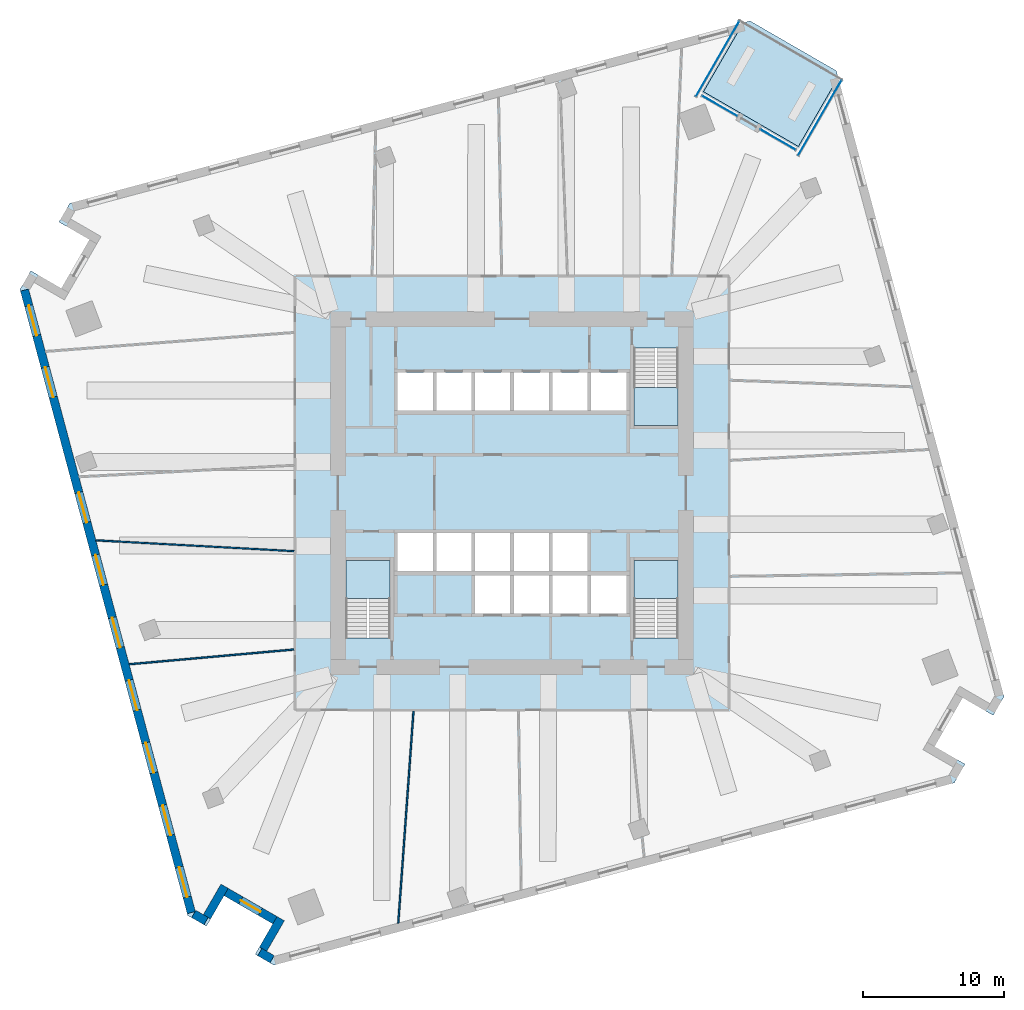
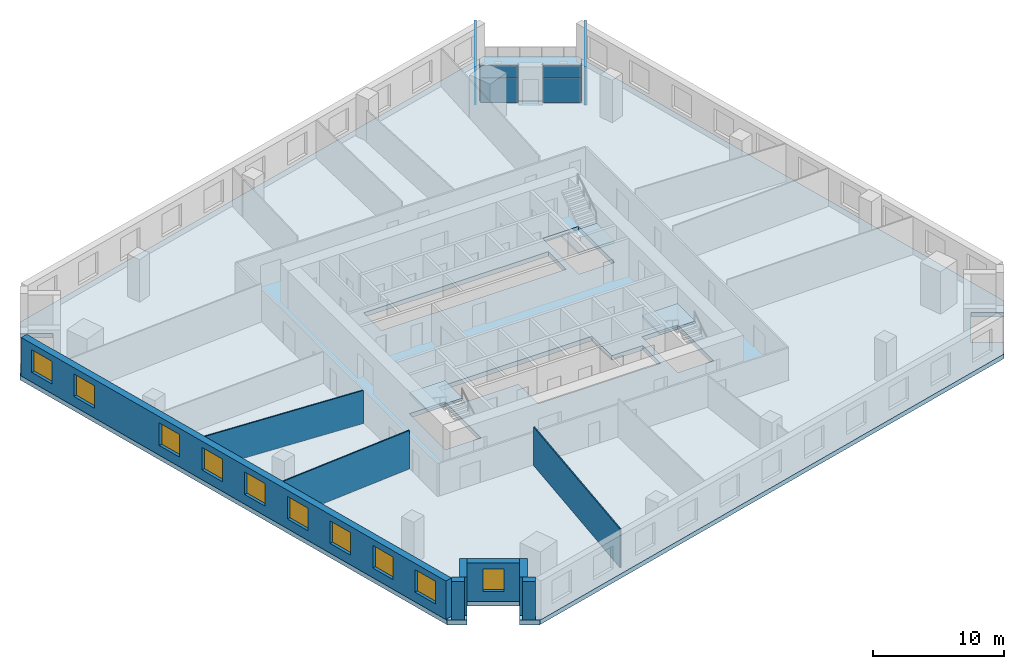
# One storey, part 3 of 11: 10 windows, 9 walls, 8 plates, 5 slabs, 10 openings, 7 elements without a shape of their own.
"""IFC4 building model written with IfcOpenShell, lengths in metres."""

from ifc_helpers import new_model, si_unit, direction, frame, frame_2d, origin, origin_2d, place, context, subcontext, project, spatial, polyline, rectangle, outline, extrude, material, layer, layer_set, type_object, element, fill, aggregate, save


model = new_model("IFC4")

# Units and contexts
model_context = context("Model", 3, precision=1e-05, world=origin(), true_north=direction((0.0, 1.0)))
body_context = subcontext(model_context, "Body", "Model", "MODEL_VIEW")
ifc_project = project(units=[si_unit("LENGTHUNIT", "METRE"), si_unit("AREAUNIT", "SQUARE_METRE"), si_unit("VOLUMEUNIT", "CUBIC_METRE"), si_unit("PLANEANGLEUNIT", "RADIAN"), si_unit("MASSUNIT", "GRAM", prefix="KILO")], contexts=[model_context])

# Site, building, storey
site_placement = place(None, origin())
site = spatial("IfcSite", under=ifc_project, at=site_placement, CompositionType="ELEMENT")
building_placement = place(site_placement, origin())
building = spatial("IfcBuilding", under=site, at=building_placement, Name="Dilmun Exchange Tower", CompositionType="ELEMENT")
storey_placement = place(building_placement, frame((0.0, 0.0, 82.10009765625)))
storey = spatial("IfcBuildingStorey", under=building, at=storey_placement, Name="L18", CompositionType="ELEMENT", Elevation=82.10009765625)

# Stair, slab
ifc_material_1 = material(Name="Concrete C40/50", Category="concrete")
stair_type = type_object("IfcStairType", Name="Exit stair 1500 half-turn", PredefinedType="HALF_TURN_STAIR", material=ifc_material_1)
stair_1_placement = place(storey_placement, origin())
stair_1 = element("IfcStair", 1, at=stair_1_placement, inside=storey, type_object=stair_type, Name="L18 Protected exit stair ST1", PredefinedType="HALF_TURN_STAIR")
ifc_layer_1 = layer(ifc_material_1, 0.199951171875)
ifc_layer_set_1 = layer_set([ifc_layer_1], Name="Concrete C40/50")
slab_type_1 = type_object("IfcSlabType", Name="Exit stair landing 200", PredefinedType="LANDING", material=ifc_layer_set_1)
slab_1_placement = place(storey_placement, frame((0.0, 0.0, 1.7998046875)))
slab_1 = element("IfcSlab", 2, at=slab_1_placement, type_object=slab_type_1, Name="ST1 landing 1", PredefinedType="LANDING", context=body_context, shape_type="SweptSolid", body=[
    extrude(outline(polyline([(8.64990234375, 7.5), (8.64990234375, 4.800048828125), (11.800048828125, 4.800048828125), (11.800048828125, 7.5), (8.64990234375, 7.5)])), origin(), (0.0, 0.0, 1.0), 0.2001953125),
])
aggregate(stair_1, [slab_1])

stair_2_placement = place(storey_placement, origin())
stair_2 = element("IfcStair", 3, at=stair_2_placement, inside=storey, type_object=stair_type, Name="L18 Protected exit stair ST2", PredefinedType="HALF_TURN_STAIR")
slab_2_placement = place(storey_placement, frame((0.0, 0.0, 1.7998046875)))
slab_2 = element("IfcSlab", 4, at=slab_2_placement, type_object=slab_type_1, Name="ST2 landing 1", PredefinedType="LANDING", context=body_context, shape_type="SweptSolid", body=[
    extrude(outline(polyline([(-8.64990234375, -7.5), (-8.64990234375, -4.800048828125), (-11.800048828125, -4.800048828125), (-11.800048828125, -7.5), (-8.64990234375, -7.5)])), origin(), (0.0, 0.0, 1.0), 0.2001953125),
])
aggregate(stair_2, [slab_2])

stair_3_placement = place(storey_placement, origin())
stair_3 = element("IfcStair", 5, at=stair_3_placement, inside=storey, type_object=stair_type, Name="L18 Protected exit stair ST3", PredefinedType="HALF_TURN_STAIR")
slab_3_placement = place(storey_placement, frame((0.0, 0.0, 1.7998046875)))
slab_3 = element("IfcSlab", 6, at=slab_3_placement, type_object=slab_type_1, Name="ST3 landing 1", PredefinedType="LANDING", context=body_context, shape_type="SweptSolid", body=[
    extrude(outline(polyline([(11.800048828125, -7.5), (11.800048828125, -4.800048828125), (8.64990234375, -4.800048828125), (8.64990234375, -7.5), (11.800048828125, -7.5)])), origin(), (0.0, 0.0, 1.0), 0.2001953125),
])
aggregate(stair_3, [slab_3])

# Curtain wall, plates
ifc_material_2 = material(Name="Anodised aluminium and clear glass", Category="aluminium")
curtain_wall_type = type_object("IfcCurtainWallType", Name="Garden corner glazing", PredefinedType="NOTDEFINED", material=ifc_material_2)
curtain_wall_1_placement = place(storey_placement, origin())
curtain_wall_1 = element("IfcCurtainWall", 7, at=curtain_wall_1_placement, inside=storey, type_object=curtain_wall_type, Name="Garden corner glazing run GC1.1", PredefinedType="NOTDEFINED")
ifc_material_3 = material(Name="Clear glass", Category="glass")
ifc_layer_2 = layer(ifc_material_3, 0.028076171875)
ifc_layer_set_2 = layer_set([ifc_layer_2], Name="Clear glass")
plate_type = type_object("IfcPlateType", Name="Garden corner glazing glass panel 28", PredefinedType="CURTAIN_PANEL", material=ifc_layer_set_2)
plate_1_placement = place(storey_placement, frame((21.8525390625, 26.64306640625, 0.059814453125), z_axis=(0.0, 0.0, 1.0), x_axis=(-0.500007922473, -0.866020829694, 0.0)))
plate_1 = element("IfcPlate", 8, at=plate_1_placement, type_object=plate_type, Name="GC1.1 panel 1.1", PredefinedType="CURTAIN_PANEL", context=body_context, shape_type="SweptSolid", body=[
    extrude(rectangle(XDim=6.12646484375, YDim=0.028076171875, at=origin_2d()), origin(), (0.0, 0.0, 1.0), 2.31005859375),
])
plate_2_placement = place(storey_placement, frame((21.8525390625, 26.64306640625, 2.4296875), z_axis=(0.0, 0.0, 1.0), x_axis=(-0.500007922473, -0.866020829694, 0.0)))
plate_2 = element("IfcPlate", 9, at=plate_2_placement, type_object=plate_type, Name="GC1.1 panel 1.2", PredefinedType="CURTAIN_PANEL", context=body_context, shape_type="SweptSolid", body=[
    extrude(rectangle(XDim=6.12646484375, YDim=0.028076171875, at=origin_2d()), origin(), (0.0, 0.0, 1.0), 1.090087890625),
])
aggregate(curtain_wall_1, [plate_1, plate_2])

curtain_wall_2_placement = place(storey_placement, origin())
curtain_wall_2 = element("IfcCurtainWall", 10, at=curtain_wall_2_placement, inside=storey, type_object=curtain_wall_type, Name="Garden corner glazing run GC2.1", PredefinedType="NOTDEFINED")
plate_3_placement = place(storey_placement, frame((18.88671875, 25.095458984375, 0.059814453125), z_axis=(0.0, 0.0, 1.0), x_axis=(-0.866015104744, 0.500017838036, 0.0)))
plate_3 = element("IfcPlate", 11, at=plate_3_placement, type_object=plate_type, Name="GC2.1 panel 1.1", PredefinedType="CURTAIN_PANEL", context=body_context, shape_type="SweptSolid", body=[
    extrude(rectangle(XDim=2.869140625, YDim=0.028076171875, at=origin_2d()), origin(), (0.0, 0.0, 1.0), 2.31005859375),
])
plate_4_placement = place(storey_placement, frame((18.88671875, 25.095458984375, 2.4296875), z_axis=(0.0, 0.0, 1.0), x_axis=(-0.866015104744, 0.500017838036, 0.0)))
plate_4 = element("IfcPlate", 12, at=plate_4_placement, type_object=plate_type, Name="GC2.1 panel 1.2", PredefinedType="CURTAIN_PANEL", context=body_context, shape_type="SweptSolid", body=[
    extrude(rectangle(XDim=2.869140625, YDim=0.028076171875, at=origin_2d()), origin(), (0.0, 0.0, 1.0), 1.090087890625),
])
aggregate(curtain_wall_2, [plate_3, plate_4])

curtain_wall_3_placement = place(storey_placement, origin())
curtain_wall_3 = element("IfcCurtainWall", 13, at=curtain_wall_3_placement, inside=storey, type_object=curtain_wall_type, Name="Garden corner glazing run GC2.3", PredefinedType="NOTDEFINED")
plate_5_placement = place(storey_placement, frame((14.7392578125, 27.489990234375, 0.059814453125), z_axis=(0.0, 0.0, 1.0), x_axis=(-0.866037954663, 0.499978260611, 0.0)))
plate_5 = element("IfcPlate", 14, at=plate_5_placement, type_object=plate_type, Name="GC2.3 panel 1.1", PredefinedType="CURTAIN_PANEL", context=body_context, shape_type="SweptSolid", body=[
    extrude(rectangle(XDim=2.869140625, YDim=0.028076171875, at=origin_2d()), origin(), (0.0, 0.0, 1.0), 2.31005859375),
])
plate_6_placement = place(storey_placement, frame((14.7392578125, 27.489990234375, 2.4296875), z_axis=(0.0, 0.0, 1.0), x_axis=(-0.866037954663, 0.499978260611, 0.0)))
plate_6 = element("IfcPlate", 15, at=plate_6_placement, type_object=plate_type, Name="GC2.3 panel 1.2", PredefinedType="CURTAIN_PANEL", context=body_context, shape_type="SweptSolid", body=[
    extrude(rectangle(XDim=2.869140625, YDim=0.028076171875, at=origin_2d()), origin(), (0.0, 0.0, 1.0), 1.090087890625),
])
aggregate(curtain_wall_3, [plate_5, plate_6])

curtain_wall_4_placement = place(storey_placement, origin())
curtain_wall_4 = element("IfcCurtainWall", 16, at=curtain_wall_4_placement, inside=storey, type_object=curtain_wall_type, Name="Garden corner glazing run GC3.1", PredefinedType="NOTDEFINED")
plate_7_placement = place(storey_placement, frame((14.5966796875, 30.832275390625, 0.059814453125), z_axis=(0.0, 0.0, 1.0), x_axis=(0.499995915726, 0.866027761828, 0.0)))
plate_7 = element("IfcPlate", 17, at=plate_7_placement, type_object=plate_type, Name="GC3.1 panel 1.1", PredefinedType="CURTAIN_PANEL", context=body_context, shape_type="SweptSolid", body=[
    extrude(rectangle(XDim=6.12646484375, YDim=0.028076171875, at=origin_2d()), origin(), (0.0, 0.0, 1.0), 2.31005859375),
])
plate_8_placement = place(storey_placement, frame((14.5966796875, 30.832275390625, 2.4296875), z_axis=(0.0, 0.0, 1.0), x_axis=(0.499995915726, 0.866027761828, 0.0)))
plate_8 = element("IfcPlate", 18, at=plate_8_placement, type_object=plate_type, Name="GC3.1 panel 1.2", PredefinedType="CURTAIN_PANEL", context=body_context, shape_type="SweptSolid", body=[
    extrude(rectangle(XDim=6.12646484375, YDim=0.028076171875, at=origin_2d()), origin(), (0.0, 0.0, 1.0), 1.090087890625),
])
aggregate(curtain_wall_4, [plate_7, plate_8])

# Slabs
ifc_layer_3 = layer(ifc_material_1, 0.419921875)
ifc_layer_set_3 = layer_set([ifc_layer_3], Name="Concrete C40/50")
slab_type_2 = type_object("IfcSlabType", Name="RC floor slab 420", PredefinedType="FLOOR", material=ifc_layer_set_3)
slab_4_placement = place(storey_placement, frame((0.0, 0.0, -0.420166015625)))
element("IfcSlab", 19, at=slab_4_placement, inside=storey, type_object=slab_type_2, Name="Floor slab", PredefinedType="FLOOR", context=body_context, shape_type="SweptSolid", body=[
    extrude(outline(polyline([(34.162841796875, -15.781494140625), (31.997802734375, -14.531494140625), (29.997802734375, -17.99560546875), (32.162841796875, -19.24560546875), (31.39501953125, -20.575439453125), (-16.901123046875, -33.516357421875), (-18.23095703125, -32.74853515625), (-16.98095703125, -30.58349609375), (-20.445068359375, -28.58349609375), (-21.695068359375, -30.74853515625), (-23.02490234375, -29.98095703125), (-34.9306640625, 14.45166015625), (-34.162841796875, 15.781494140625), (-31.997802734375, 14.531494140625), (-29.997802734375, 17.99560546875), (-32.162841796875, 19.24560546875), (-31.39501953125, 20.575439453125), (16.418212890625, 33.386962890625), (13.594970703125, 28.4970703125), (20.3310546875, 24.60791015625), (23.154296875, 29.497802734375), (34.9306640625, -14.45166015625), (34.162841796875, -15.781494140625)]), holes=[polyline([(-8.64990234375, -4.800048828125), (-11.800048828125, -4.800048828125), (-11.800048828125, -10.294921875), (-8.64990234375, -10.294921875), (-8.64990234375, -4.800048828125)]), polyline([(11.800048828125, -4.800048828125), (8.64990234375, -4.800048828125), (8.64990234375, -10.294921875), (11.800048828125, -10.294921875), (11.800048828125, -4.800048828125)]), polyline([(-8.125, -2.85009765625), (-8.125, -5.550048828125), (-2.625, -5.550048828125), (-2.625, -8.550048828125), (8.125, -8.550048828125), (8.125, -5.85009765625), (5.375, -5.85009765625), (5.375, -2.85009765625), (-8.125, -2.85009765625)]), polyline([(-8.125, 5.85009765625), (8.125, 5.85009765625), (8.125, 8.550048828125), (-8.125, 8.550048828125), (-8.125, 5.85009765625)]), polyline([(8.64990234375, 10.294921875), (8.64990234375, 4.800048828125), (11.800048828125, 4.800048828125), (11.800048828125, 10.294921875), (8.64990234375, 10.294921875)])]), origin(), (0.0, 0.0, 1.0), 0.420166015625),
])
ifc_layer_4 = layer(ifc_material_1, 0.300048828125)
ifc_layer_set_4 = layer_set([ifc_layer_4], Name="Concrete C40/50")
slab_type_3 = type_object("IfcSlabType", Name="RC garden terrace slab 300", PredefinedType="FLOOR", material=ifc_layer_set_4)
slab_5_placement = place(storey_placement, frame((0.0, 0.0, -0.300048828125)))
element("IfcSlab", 20, at=slab_5_placement, inside=storey, type_object=slab_type_3, Name="Garden terrace slab", PredefinedType="FLOOR", context=body_context, shape_type="SweptSolid", body=[
    extrude(outline(polyline([(13.594970703125, 28.4970703125), (16.418212890625, 33.386962890625), (16.901123046875, 33.516357421875), (23.02490234375, 29.98095703125), (23.154296875, 29.497802734375), (20.3310546875, 24.60791015625), (13.594970703125, 28.4970703125)])), origin(), (0.0, 0.0, 1.0), 0.300048828125),
])

# Walls
ifc_material_4 = material(Name="Partition 100")
ifc_layer_5 = layer(ifc_material_4, 0.10009765625)
ifc_layer_set_5 = layer_set([ifc_layer_5], Name="Partition 100")
wall_type_1 = type_object("IfcWallType", Name="Partition 100", PredefinedType="PARTITIONING", material=ifc_layer_set_5)
wall_1_placement = place(storey_placement, frame((-29.535888671875, -3.35546875, 0.0), z_axis=(0.0, 0.0, 1.0), x_axis=(0.998509889637, -0.054571057322, 0.0)))
element("IfcWall", 21, at=wall_1_placement, inside=storey, type_object=wall_type_1, Name="Partition", PredefinedType="PARTITIONING", context=body_context, shape_type="SweptSolid", body=[
    extrude(rectangle(XDim=14.0791015625, YDim=0.10009765625, at=frame_2d((7.03955078125, 0.0))), origin(), (0.0, 0.0, 1.0), 3.079833984375),
])
wall_2_placement = place(storey_placement, frame((-27.178466796875, -12.153564453125, 0.0), z_axis=(0.0, 0.0, 1.0), x_axis=(0.996016470741, 0.089169445512, 0.0)))
element("IfcWall", 22, at=wall_2_placement, inside=storey, type_object=wall_type_1, Name="Partition", PredefinedType="PARTITIONING", context=body_context, shape_type="SweptSolid", body=[
    extrude(rectangle(XDim=11.745849609375, YDim=0.10009765625, at=frame_2d((5.873046875, 0.0))), origin(), (0.0, 0.0, 1.0), 3.579833984375),
])
wall_3_placement = place(storey_placement, frame((-8.07421875, -30.528076171875, 0.0), z_axis=(0.0, 0.0, 1.0), x_axis=(0.071616164184, 0.997432265885, 0.0)))
element("IfcWall", 23, at=wall_3_placement, inside=storey, type_object=wall_type_1, Name="Partition", PredefinedType="PARTITIONING", context=body_context, shape_type="SweptSolid", body=[
    extrude(rectangle(XDim=15.08837890625, YDim=0.10009765625, at=frame_2d((7.544189453125, 0.0))), origin(), (0.0, 0.0, 1.0), 3.579833984375),
])

# Wall, openings, windows
ifc_material_5 = material(Name="Precast concrete C50/60", Category="concrete")
ifc_layer_6 = layer(ifc_material_5, 0.60009765625)
ifc_layer_set_6 = layer_set([ifc_layer_6], Name="Precast concrete C50/60")
wall_type_2 = type_object("IfcWallType", Name="Precast stone-clad wall 600", PredefinedType="STANDARD", material=ifc_layer_set_6)
wall_4_placement = place(storey_placement, frame((-34.608642578125, 14.4091796875, 0.0), z_axis=(0.0, 0.0, 1.0), x_axis=(0.258818949408, -0.96592585193, 0.0)))
wall_4 = element("IfcWall", 24, at=wall_4_placement, inside=storey, type_object=wall_type_2, Name="Facade wall L18-09", PredefinedType="STANDARD", context=body_context, shape_type="SweptSolid", body=[
    extrude(rectangle(XDim=45.751220703125, YDim=0.60009765625, at=frame_2d((22.87548828125, 0.0))), origin(), (0.0, 0.0, 1.0), 3.579833984375),
])
opening_1_placement = place(wall_4_placement, frame((1.137939453125, 0.0, 0.89990234375)))
opening_1 = element("IfcOpeningElement", 25, at=opening_1_placement, cuts=wall_4, Name="Opening W220-210", PredefinedType="OPENING", context=body_context, shape_type="SweptSolid", body=[
    extrude(rectangle(XDim=2.199951171875, YDim=2.10009765625, at=frame_2d((1.10009765625, 1.050048828125))), frame((0.0, 0.31005859375, 0.0), z_axis=(0.0, -1.0, 0.0), x_axis=(1.0, 0.0, 0.0)), (0.0, 0.0, 1.0), 0.6201171875),
])
opening_2_placement = place(wall_4_placement, frame((5.67578125, 0.0, 0.89990234375)))
opening_2 = element("IfcOpeningElement", 26, at=opening_2_placement, cuts=wall_4, Name="Opening W220-210", PredefinedType="OPENING", context=body_context, shape_type="SweptSolid", body=[
    extrude(rectangle(XDim=2.199951171875, YDim=2.10009765625, at=frame_2d((1.10009765625, 1.050048828125))), frame((0.0, 0.31005859375, 0.0), z_axis=(0.0, -1.0, 0.0), x_axis=(1.0, 0.0, 0.0)), (0.0, 0.0, 1.0), 0.6201171875),
])
opening_3_placement = place(wall_4_placement, frame((14.875732421875, 0.0, 0.89990234375)))
opening_3 = element("IfcOpeningElement", 27, at=opening_3_placement, cuts=wall_4, Name="Opening W220-210", PredefinedType="OPENING", context=body_context, shape_type="SweptSolid", body=[
    extrude(rectangle(XDim=2.199951171875, YDim=2.10009765625, at=frame_2d((1.10009765625, 1.050048828125))), frame((0.0, 0.31005859375, 0.0), z_axis=(0.0, -1.0, 0.0), x_axis=(1.0, 0.0, 0.0)), (0.0, 0.0, 1.0), 0.6201171875),
])
opening_4_placement = place(wall_4_placement, frame((19.4755859375, 0.0, 0.89990234375)))
opening_4 = element("IfcOpeningElement", 28, at=opening_4_placement, cuts=wall_4, Name="Opening W220-210", PredefinedType="OPENING", context=body_context, shape_type="SweptSolid", body=[
    extrude(rectangle(XDim=2.199951171875, YDim=2.10009765625, at=frame_2d((1.10009765625, 1.050048828125))), frame((0.0, 0.31005859375, 0.0), z_axis=(0.0, -1.0, 0.0), x_axis=(1.0, 0.0, 0.0)), (0.0, 0.0, 1.0), 0.6201171875),
])
opening_5_placement = place(wall_4_placement, frame((24.07568359375, 0.0, 0.89990234375)))
opening_5 = element("IfcOpeningElement", 29, at=opening_5_placement, cuts=wall_4, Name="Opening W220-210", PredefinedType="OPENING", context=body_context, shape_type="SweptSolid", body=[
    extrude(rectangle(XDim=2.199951171875, YDim=2.10009765625, at=frame_2d((1.10009765625, 1.050048828125))), frame((0.0, 0.31005859375, 0.0), z_axis=(0.0, -1.0, 0.0), x_axis=(1.0, 0.0, 0.0)), (0.0, 0.0, 1.0), 0.6201171875),
])
opening_6_placement = place(wall_4_placement, frame((28.67578125, 0.0, 0.89990234375)))
opening_6 = element("IfcOpeningElement", 30, at=opening_6_placement, cuts=wall_4, Name="Opening W220-210", PredefinedType="OPENING", context=body_context, shape_type="SweptSolid", body=[
    extrude(rectangle(XDim=2.199951171875, YDim=2.10009765625, at=frame_2d((1.10009765625, 1.050048828125))), frame((0.0, 0.31005859375, 0.0), z_axis=(0.0, -1.0, 0.0), x_axis=(1.0, 0.0, 0.0)), (0.0, 0.0, 1.0), 0.6201171875),
])
opening_7_placement = place(wall_4_placement, frame((33.275634765625, 0.0, 0.89990234375)))
opening_7 = element("IfcOpeningElement", 31, at=opening_7_placement, cuts=wall_4, Name="Opening W220-210", PredefinedType="OPENING", context=body_context, shape_type="SweptSolid", body=[
    extrude(rectangle(XDim=2.199951171875, YDim=2.10009765625, at=frame_2d((1.10009765625, 1.050048828125))), frame((0.0, 0.31005859375, 0.0), z_axis=(0.0, -1.0, 0.0), x_axis=(1.0, 0.0, 0.0)), (0.0, 0.0, 1.0), 0.6201171875),
])
opening_8_placement = place(wall_4_placement, frame((37.875732421875, 0.0, 0.89990234375)))
opening_8 = element("IfcOpeningElement", 32, at=opening_8_placement, cuts=wall_4, Name="Opening W220-210", PredefinedType="OPENING", context=body_context, shape_type="SweptSolid", body=[
    extrude(rectangle(XDim=2.199951171875, YDim=2.10009765625, at=frame_2d((1.10009765625, 1.050048828125))), frame((0.0, 0.31005859375, 0.0), z_axis=(0.0, -1.0, 0.0), x_axis=(1.0, 0.0, 0.0)), (0.0, 0.0, 1.0), 0.6201171875),
])
opening_9_placement = place(wall_4_placement, frame((42.41357421875, 0.0, 0.89990234375)))
opening_9 = element("IfcOpeningElement", 33, at=opening_9_placement, cuts=wall_4, Name="Opening W220-210", PredefinedType="OPENING", context=body_context, shape_type="SweptSolid", body=[
    extrude(rectangle(XDim=2.199951171875, YDim=2.10009765625, at=frame_2d((1.10009765625, 1.050048828125))), frame((0.0, 0.31005859375, 0.0), z_axis=(0.0, -1.0, 0.0), x_axis=(1.0, 0.0, 0.0)), (0.0, 0.0, 1.0), 0.6201171875),
])
ifc_material_6 = material(Name="Clear low-emissivity glass in aluminium frame", Category="aluminium")
window_type_1 = type_object("IfcWindowType", Name="Punched window 2200 x 2100", PartitioningType="DOUBLE_PANEL_VERTICAL", PredefinedType="WINDOW", material=ifc_material_6)
window_1_placement = place(opening_1_placement, origin())
window_1 = element("IfcWindow", 34, at=window_1_placement, inside=storey, type_object=window_type_1, Name="Window 10.1", OverallHeight=2.10009765625, OverallWidth=2.199951171875, PartitioningType="SINGLE_PANEL", PredefinedType="WINDOW", context=body_context, shape_type="SweptSolid", body=[
    extrude(rectangle(XDim=2.199951171875, YDim=2.10009765625, at=frame_2d((1.10009765625, 1.050048828125))), frame((0.0, 0.030029296875, 0.0), z_axis=(0.0, -1.0, 0.0), x_axis=(1.0, 0.0, 0.0)), (0.0, 0.0, 1.0), 0.06005859375),
])
fill(opening_1, window_1)
window_2_placement = place(opening_2_placement, origin())
window_2 = element("IfcWindow", 35, at=window_2_placement, inside=storey, type_object=window_type_1, Name="Window 10.2", OverallHeight=2.10009765625, OverallWidth=2.199951171875, PartitioningType="SINGLE_PANEL", PredefinedType="WINDOW", context=body_context, shape_type="SweptSolid", body=[
    extrude(rectangle(XDim=2.199951171875, YDim=2.10009765625, at=frame_2d((1.10009765625, 1.050048828125))), frame((0.0, 0.030029296875, 0.0), z_axis=(0.0, -1.0, 0.0), x_axis=(1.0, 0.0, 0.0)), (0.0, 0.0, 1.0), 0.06005859375),
])
fill(opening_2, window_2)
window_3_placement = place(opening_3_placement, origin())
window_3 = element("IfcWindow", 36, at=window_3_placement, inside=storey, type_object=window_type_1, Name="Window 10.4", OverallHeight=2.10009765625, OverallWidth=2.199951171875, PartitioningType="SINGLE_PANEL", PredefinedType="WINDOW", context=body_context, shape_type="SweptSolid", body=[
    extrude(rectangle(XDim=2.199951171875, YDim=2.10009765625, at=frame_2d((1.10009765625, 1.050048828125))), frame((0.0, 0.030029296875, 0.0), z_axis=(0.0, -1.0, 0.0), x_axis=(1.0, 0.0, 0.0)), (0.0, 0.0, 1.0), 0.06005859375),
])
fill(opening_3, window_3)
window_4_placement = place(opening_4_placement, origin())
window_4 = element("IfcWindow", 37, at=window_4_placement, inside=storey, type_object=window_type_1, Name="Window 10.5", OverallHeight=2.10009765625, OverallWidth=2.199951171875, PartitioningType="SINGLE_PANEL", PredefinedType="WINDOW", context=body_context, shape_type="SweptSolid", body=[
    extrude(rectangle(XDim=2.199951171875, YDim=2.10009765625, at=frame_2d((1.10009765625, 1.050048828125))), frame((0.0, 0.030029296875, 0.0), z_axis=(0.0, -1.0, 0.0), x_axis=(1.0, 0.0, 0.0)), (0.0, 0.0, 1.0), 0.06005859375),
])
fill(opening_4, window_4)
window_5_placement = place(opening_5_placement, origin())
window_5 = element("IfcWindow", 38, at=window_5_placement, inside=storey, type_object=window_type_1, Name="Window 10.6", OverallHeight=2.10009765625, OverallWidth=2.199951171875, PartitioningType="SINGLE_PANEL", PredefinedType="WINDOW", context=body_context, shape_type="SweptSolid", body=[
    extrude(rectangle(XDim=2.199951171875, YDim=2.10009765625, at=frame_2d((1.10009765625, 1.050048828125))), frame((0.0, 0.030029296875, 0.0), z_axis=(0.0, -1.0, 0.0), x_axis=(1.0, 0.0, 0.0)), (0.0, 0.0, 1.0), 0.06005859375),
])
fill(opening_5, window_5)
window_6_placement = place(opening_6_placement, origin())
window_6 = element("IfcWindow", 39, at=window_6_placement, inside=storey, type_object=window_type_1, Name="Window 10.7", OverallHeight=2.10009765625, OverallWidth=2.199951171875, PartitioningType="SINGLE_PANEL", PredefinedType="WINDOW", context=body_context, shape_type="SweptSolid", body=[
    extrude(rectangle(XDim=2.199951171875, YDim=2.10009765625, at=frame_2d((1.10009765625, 1.050048828125))), frame((0.0, 0.030029296875, 0.0), z_axis=(0.0, -1.0, 0.0), x_axis=(1.0, 0.0, 0.0)), (0.0, 0.0, 1.0), 0.06005859375),
])
fill(opening_6, window_6)
window_7_placement = place(opening_7_placement, origin())
window_7 = element("IfcWindow", 40, at=window_7_placement, inside=storey, type_object=window_type_1, Name="Window 10.8", OverallHeight=2.10009765625, OverallWidth=2.199951171875, PartitioningType="SINGLE_PANEL", PredefinedType="WINDOW", context=body_context, shape_type="SweptSolid", body=[
    extrude(rectangle(XDim=2.199951171875, YDim=2.10009765625, at=frame_2d((1.10009765625, 1.050048828125))), frame((0.0, 0.030029296875, 0.0), z_axis=(0.0, -1.0, 0.0), x_axis=(1.0, 0.0, 0.0)), (0.0, 0.0, 1.0), 0.06005859375),
])
fill(opening_7, window_7)
window_8_placement = place(opening_8_placement, origin())
window_8 = element("IfcWindow", 41, at=window_8_placement, inside=storey, type_object=window_type_1, Name="Window 10.9", OverallHeight=2.10009765625, OverallWidth=2.199951171875, PartitioningType="SINGLE_PANEL", PredefinedType="WINDOW", context=body_context, shape_type="SweptSolid", body=[
    extrude(rectangle(XDim=2.199951171875, YDim=2.10009765625, at=frame_2d((1.10009765625, 1.050048828125))), frame((0.0, 0.030029296875, 0.0), z_axis=(0.0, -1.0, 0.0), x_axis=(1.0, 0.0, 0.0)), (0.0, 0.0, 1.0), 0.06005859375),
])
fill(opening_8, window_8)
window_9_placement = place(opening_9_placement, origin())
window_9 = element("IfcWindow", 42, at=window_9_placement, inside=storey, type_object=window_type_1, Name="Window 10.10", OverallHeight=2.10009765625, OverallWidth=2.199951171875, PartitioningType="SINGLE_PANEL", PredefinedType="WINDOW", context=body_context, shape_type="SweptSolid", body=[
    extrude(rectangle(XDim=2.199951171875, YDim=2.10009765625, at=frame_2d((1.10009765625, 1.050048828125))), frame((0.0, 0.030029296875, 0.0), z_axis=(0.0, -1.0, 0.0), x_axis=(1.0, 0.0, 0.0)), (0.0, 0.0, 1.0), 0.06005859375),
])
fill(opening_9, window_9)

# Walls
wall_5_placement = place(storey_placement, frame((-22.593994140625, -29.88330078125, 0.0), z_axis=(0.0, 0.0, 1.0), x_axis=(0.86602074273, -0.500008073096, 0.0)))
element("IfcWall", 43, at=wall_5_placement, inside=storey, type_object=wall_type_2, Name="Facade wall L18-10", PredefinedType="STANDARD", context=body_context, shape_type="SweptSolid", body=[
    extrude(rectangle(XDim=1.01123046875, YDim=0.60009765625, at=frame_2d((0.505615234375, 0.0))), origin(), (0.0, 0.0, 1.0), 3.579833984375),
])
wall_6_placement = place(storey_placement, frame((-21.65478515625, -30.0791015625, 0.0), z_axis=(0.0, 0.0, 1.0), x_axis=(0.500004234368, 0.866022959057, 0.0)))
element("IfcWall", 44, at=wall_6_placement, inside=storey, type_object=wall_type_2, Name="Facade wall L18-11", PredefinedType="STANDARD", context=body_context, shape_type="SweptSolid", body=[
    extrude(rectangle(XDim=2.5, YDim=0.60009765625, at=frame_2d((1.25, 0.0))), origin(), (0.0, 0.0, 1.0), 3.579833984375),
])

# Wall, opening, window
wall_7_placement = place(storey_placement, frame((-20.295166015625, -28.32373046875, 0.0), z_axis=(0.0, 0.0, 1.0), x_axis=(0.866026010844, -0.49999894854, 0.0)))
wall_7 = element("IfcWall", 45, at=wall_7_placement, inside=storey, type_object=wall_type_2, Name="Facade wall L18-12", PredefinedType="STANDARD", context=body_context, shape_type="SweptSolid", body=[
    extrude(rectangle(XDim=4.0, YDim=0.60009765625, at=frame_2d((2.0, 0.0))), origin(), (0.0, 0.0, 1.0), 3.579833984375),
])
opening_10_placement = place(wall_7_placement, frame((1.199951171875, 0.0, 0.89990234375)))
opening_10 = element("IfcOpeningElement", 46, at=opening_10_placement, cuts=wall_7, Name="Opening W160-210", PredefinedType="OPENING", context=body_context, shape_type="SweptSolid", body=[
    extrude(rectangle(XDim=1.60009765625, YDim=2.10009765625, at=frame_2d((0.800048828125, 1.050048828125))), frame((0.0, 0.31005859375, 0.0), z_axis=(0.0, -1.0, 0.0), x_axis=(1.0, 0.0, 0.0)), (0.0, 0.0, 1.0), 0.6201171875),
])
window_type_2 = type_object("IfcWindowType", Name="Punched window 1600 x 2100", PartitioningType="DOUBLE_PANEL_VERTICAL", PredefinedType="WINDOW", material=ifc_material_6)
window_10_placement = place(opening_10_placement, origin())
window_10 = element("IfcWindow", 47, at=window_10_placement, inside=storey, type_object=window_type_2, Name="Window 13.1", OverallHeight=2.10009765625, OverallWidth=1.60009765625, PartitioningType="SINGLE_PANEL", PredefinedType="WINDOW", context=body_context, shape_type="SweptSolid", body=[
    extrude(rectangle(XDim=1.60009765625, YDim=2.10009765625, at=frame_2d((0.800048828125, 1.050048828125))), frame((0.0, 0.030029296875, 0.0), z_axis=(0.0, -1.0, 0.0), x_axis=(1.0, 0.0, 0.0)), (0.0, 0.0, 1.0), 0.06005859375),
])
fill(opening_10, window_10)

# Walls
wall_8_placement = place(storey_placement, frame((-16.421142578125, -30.214111328125, 0.0), z_axis=(0.0, 0.0, 1.0), x_axis=(-0.500046524342, -0.865998541277, 0.0)))
element("IfcWall", 48, at=wall_8_placement, inside=storey, type_object=wall_type_2, Name="Facade wall L18-13", PredefinedType="STANDARD", context=body_context, shape_type="SweptSolid", body=[
    extrude(rectangle(XDim=2.499755859375, YDim=0.60009765625, at=frame_2d((1.25, 0.0))), origin(), (0.0, 0.0, 1.0), 3.579833984375),
])
wall_9_placement = place(storey_placement, frame((-17.90771484375, -32.5888671875, 0.0), z_axis=(0.0, 0.0, 1.0), x_axis=(0.86602074273, -0.500008073096, 0.0)))
element("IfcWall", 49, at=wall_9_placement, inside=storey, type_object=wall_type_2, Name="Facade wall L18-14", PredefinedType="STANDARD", context=body_context, shape_type="SweptSolid", body=[
    extrude(rectangle(XDim=1.01123046875, YDim=0.60009765625, at=frame_2d((0.505615234375, 0.0))), origin(), (0.0, 0.0, 1.0), 3.579833984375),
])

save(model, "model.ifc")
